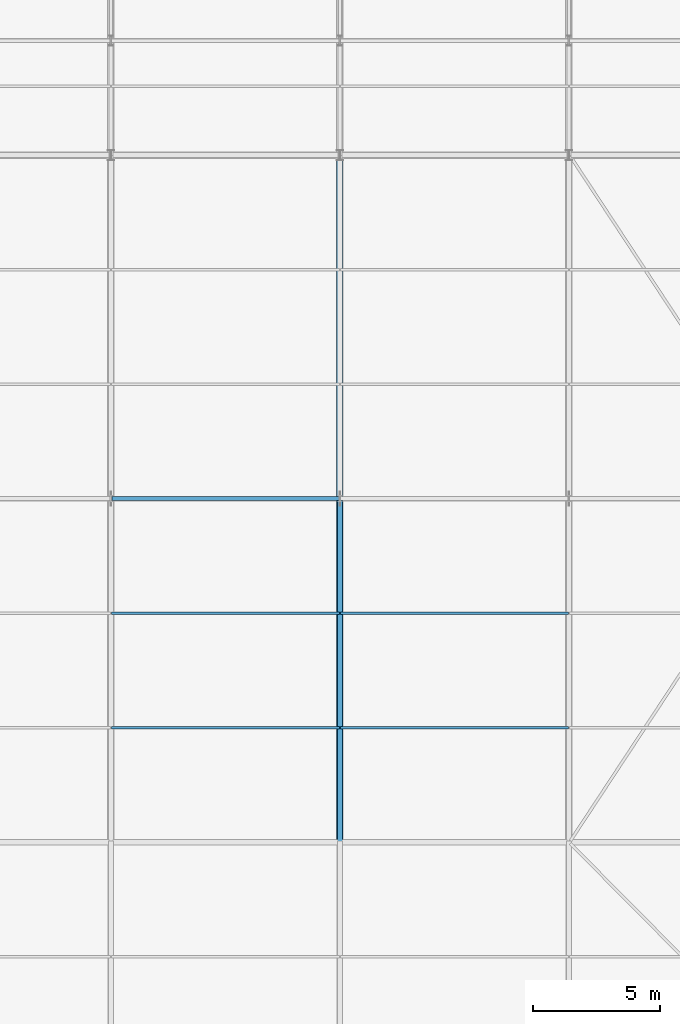
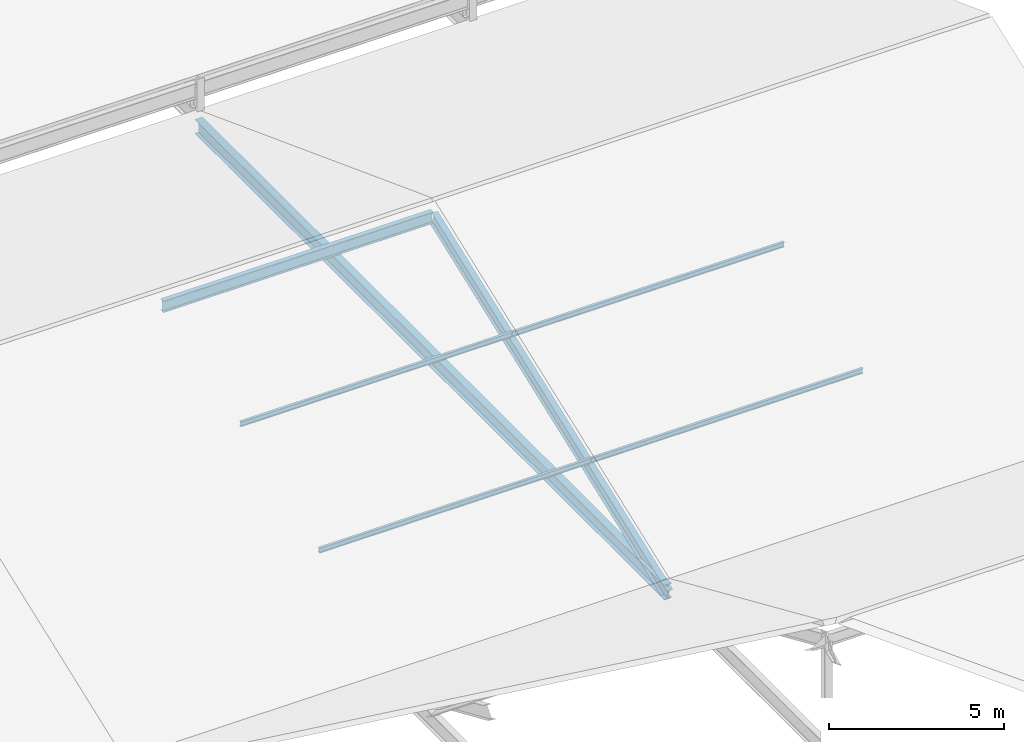
# One storey, part 54 of 163: 6 members, 1 beam.
"""IFC4 building model written with IfcOpenShell, lengths in metres."""

from ifc_helpers import new_model, si_unit, direction, frame, origin, origin_2d, place, context, subcontext, project, spatial, i_section, extrude, material, material_profile, profile_set, type_object, element, save


model = new_model("IFC4")

# Units and contexts
model_context = context("Model", 3, precision=1e-05, world=origin(), true_north=direction((0.0, 1.0)))
body_context = subcontext(model_context, "Body", "Model", "MODEL_VIEW")
ifc_project = project(units=[si_unit("LENGTHUNIT", "METRE"), si_unit("AREAUNIT", "SQUARE_METRE"), si_unit("VOLUMEUNIT", "CUBIC_METRE"), si_unit("PLANEANGLEUNIT", "RADIAN"), si_unit("MASSUNIT", "GRAM", prefix="KILO")], contexts=[model_context])

# Site, building, storey
site_placement = place(None, origin())
site = spatial("IfcSite", under=ifc_project, at=site_placement, CompositionType="ELEMENT")
building_placement = place(site_placement, origin())
building = spatial("IfcBuilding", under=site, at=building_placement, Name="Tharagai Park Tramway Depot", CompositionType="ELEMENT")
storey_placement = place(building_placement, frame((0.0, 0.0, 8.39990234375)))
storey = spatial("IfcBuildingStorey", under=building, at=storey_placement, Name="L02", CompositionType="ELEMENT", Elevation=8.39990234375)

# Beam
ifc_material_1 = material(Name="Steel E350", Category="steel")
ifc_material_profile_1 = material_profile(ifc_material_1, i_section(OverallWidth=0.25, OverallDepth=0.5, WebThickness=0.010009765625, FlangeThickness=0.0146484375, FilletRadius=0.014892578125, at=origin_2d()), Name="ISWB 500")
ifc_profile_set_1 = profile_set([ifc_material_profile_1], Name="Steel E350")
beam_type = type_object("IfcBeamType", Name="BM-08", PredefinedType="BEAM", material=ifc_profile_set_1)
beam_placement = place(storey_placement, frame((72.0, 63.080078125, -0.5), z_axis=(0.0, 1.0, 0.0), x_axis=(-1.0, 0.0, 0.0)))
element("IfcBeam", 1, at=beam_placement, inside=storey, type_object=beam_type, Name="V2B Gable Tie Girder BM-08", PredefinedType="BEAM", context=body_context, shape_type="SweptSolid", body=[
    extrude(i_section(OverallWidth=0.25, OverallDepth=0.5, WebThickness=0.010009765625, FlangeThickness=0.0146484375, FilletRadius=0.014892578125, at=origin_2d()), origin(), (0.0, 0.0, 1.0), 26.83984375),
])

# Members
ifc_material_2 = material(Name="Steel E250", Category="steel")
ifc_material_profile_2 = material_profile(ifc_material_2, i_section(OverallWidth=0.090087890625, OverallDepth=0.175048828125, WebThickness=0.005615234375, FlangeThickness=0.009033203125, FilletRadius=0.010009765625, at=origin_2d()), Name="ISMB 175")
ifc_profile_set_2 = profile_set([ifc_material_profile_2], Name="Steel E250")
member_type_1 = type_object("IfcMemberType", Name="PR-01", PredefinedType="PURLIN", material=ifc_profile_set_2)
for number, where, z_axis, x_axis, name in (
    (2, (63.02001953125, 67.5, 1.398681640625), (1.0, 0.0, 0.0), (0.0, 1.0, 0.0), "V2B Roof Purlin PR-01"),
    (3, (63.02001953125, 72.0, 3.0810546875), (1.0, 0.0, 0.0), (0.0, 1.0, 0.0), "V2B Roof Purlin PR-01"),
    (4, (72.02001953125, 67.5, 1.398681640625), (1.0, 0.0, 0.0), (0.0, 1.0, 0.0), "V2B Roof Purlin PR-01"),
    (5, (72.02001953125, 72.0, 3.0810546875), (1.0, 0.0, 0.0), (0.0, 1.0, 0.0), "V2B Roof Purlin PR-01"),
):
    element("IfcMember", number, at=place(storey_placement, frame(where, z_axis=z_axis, x_axis=x_axis)), inside=storey, type_object=member_type_1, Name=name, PredefinedType="PURLIN", context=body_context, shape_type="SweptSolid", body=[
        extrude(i_section(OverallWidth=0.090087890625, OverallDepth=0.175048828125, WebThickness=0.005615234375, FlangeThickness=0.009033203125, FilletRadius=0.010009765625, at=origin_2d()), origin(), (0.0, 0.0, 1.0), 8.9599609375),
    ])
ifc_material_profile_3 = material_profile(ifc_material_1, i_section(OverallWidth=0.199951171875, OverallDepth=0.449951171875, WebThickness=0.00927734375, FlangeThickness=0.015380859375, FilletRadius=0.014892578125, at=origin_2d()), Name="ISWB 450")
ifc_profile_set_3 = profile_set([ifc_material_profile_3], Name="Steel E350")
member_type_2 = type_object("IfcMemberType", Name="RF-03", PredefinedType="RAFTER", material=ifc_profile_set_3)
member_1_placement = place(storey_placement, frame((72.0, 63.050048828125, -0.601318359375), z_axis=(0.0, 0.936246041069, 0.35134505914), x_axis=(-1.0, 0.0, 0.0)))
element("IfcMember", 6, at=member_1_placement, inside=storey, type_object=member_type_2, Name="V2B Pitched Rafter RF-03 South", PredefinedType="RAFTER", context=body_context, shape_type="SweptSolid", body=[
    extrude(i_section(OverallWidth=0.199951171875, OverallDepth=0.449951171875, WebThickness=0.00927734375, FlangeThickness=0.015380859375, FilletRadius=0.014892578125, at=origin_2d()), origin(), (0.0, 0.0, 1.0), 14.36572265625),
])
ifc_material_profile_4 = material_profile(ifc_material_1, i_section(OverallWidth=0.1650390625, OverallDepth=0.39990234375, WebThickness=0.008056640625, FlangeThickness=0.012451171875, FilletRadius=0.013916015625, at=origin_2d()), Name="ISLB 400")
ifc_profile_set_4 = profile_set([ifc_material_profile_4], Name="Steel E350")
member_type_3 = type_object("IfcMemberType", Name="TC-04", PredefinedType="CHORD", material=ifc_profile_set_4)
member_2_placement = place(storey_placement, frame((63.0400390625, 76.5, 4.470947265625), z_axis=(1.0, 0.0, 0.0), x_axis=(0.0, 1.0, 0.0)))
element("IfcMember", 7, at=member_2_placement, inside=storey, type_object=member_type_3, Name="V2B Roof Ridge Chord TC-04", PredefinedType="CHORD", context=body_context, shape_type="SweptSolid", body=[
    extrude(i_section(OverallWidth=0.1650390625, OverallDepth=0.39990234375, WebThickness=0.008056640625, FlangeThickness=0.012451171875, FilletRadius=0.013916015625, at=origin_2d()), origin(), (0.0, 0.0, 1.0), 8.919921875),
])

save(model, "model.ifc")
